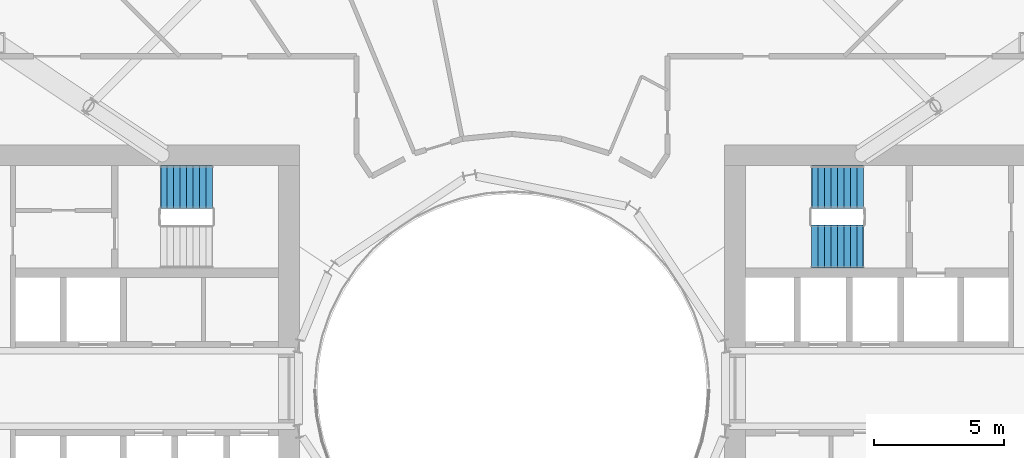
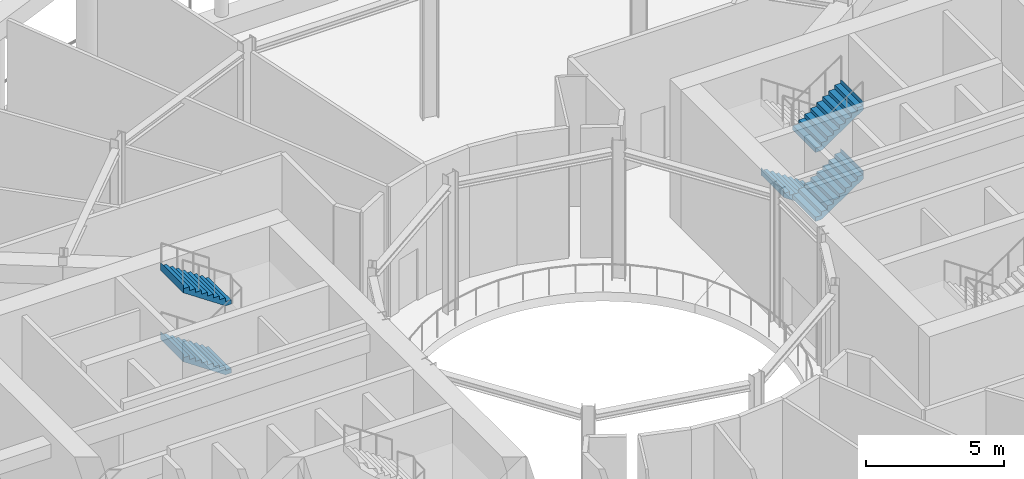
# One storey, part 16 of 22: 5 stair flights, 2 elements without a shape of their own.
"""IFC4 building model written with IfcOpenShell, lengths in metres."""

import ifcopenshell
import ifcopenshell.guid

model = None  # the IFC model being written
_history = None  # IfcOwnerHistory: only IFC2X3 demands one
_inside = {}  # id of a spatial element -> (the spatial element, [elements in it])
_under = {}  # id of a project, library or spatial element -> (it, [spatial elements below it])
_declared = {}  # id of a project -> (the project, [libraries it declares])
_typed = {}  # id of a type object -> (the type object, [elements of that type])
_made_of = {}  # id of a material, layer set ... -> (it, [elements and type objects made of it])


def new_model(schema):
    """Start an empty IFC model of exactly this schema.

    Asked for "IFC4X3", IfcOpenShell would pick the latest addendum, in which some entities
    have other attributes; the version numbers below select the first issue.
    IFC2X3 requires an IfcOwnerHistory on every rooted entity: one is made here for all.
    """
    global model, _history
    if schema == "IFC4X3":
        model = ifcopenshell.file(schema_version=(4, 3, 0, 0))
    else:
        model = ifcopenshell.file(schema=schema)
    _inside.clear()
    _under.clear()
    _declared.clear()
    _typed.clear()
    _made_of.clear()
    _history = None
    if model.schema == "IFC2X3":
        org = make("IfcOrganization", Name="unknown")
        user = make(
            "IfcPersonAndOrganization",
            ThePerson=make("IfcPerson", FamilyName="unknown"),
            TheOrganization=org,
        )
        app = make(
            "IfcApplication",
            ApplicationDeveloper=org,
            Version="unknown",
            ApplicationFullName="unknown",
            ApplicationIdentifier="unknown",
        )
        _history = make(
            "IfcOwnerHistory",
            OwningUser=user,
            OwningApplication=app,
            ChangeAction="ADDED",
            CreationDate=0,
        )
    return model


def make(cls, **values):
    """One entity of the class cls with the attributes given. An attribute that is None is left unset."""
    return model.create_entity(
        cls, **{name: value for name, value in values.items() if value is not None}
    )


def rooted(cls, **values):
    """An entity with a GlobalId (a new one), such as an element, a storey or a relation."""
    return make(cls, GlobalId=ifcopenshell.guid.new(), OwnerHistory=_history, **values)


def si_unit(unit_type, name, prefix=None):
    """IfcSIUnit, for example si_unit("LENGTHUNIT", "METRE", prefix="MILLI")."""
    return make("IfcSIUnit", UnitType=unit_type, Prefix=prefix, Name=name)


def assignment(units):
    """IfcUnitAssignment: the units of a project."""
    return None if units is None else make("IfcUnitAssignment", Units=units)


def point(xyz):
    """IfcCartesianPoint."""
    return None if xyz is None else make("IfcCartesianPoint", Coordinates=xyz)


def direction(xyz):
    """IfcDirection."""
    return None if xyz is None else make("IfcDirection", DirectionRatios=xyz)


def frame(location, z_axis=None, x_axis=None):
    """IfcAxis2Placement3D, a coordinate frame: its origin and axes. An axis left out is left unset."""
    return make(
        "IfcAxis2Placement3D",
        Location=point(location),
        Axis=direction(z_axis),
        RefDirection=direction(x_axis),
    )


def origin():
    """The frame at (0, 0, 0) with its axes left unset."""
    return frame((0.0, 0.0, 0.0))


def place(relative_to, where):
    """IfcLocalPlacement: puts the frame where relative to a parent placement (None: the world)."""
    return make(
        "IfcLocalPlacement", PlacementRelTo=relative_to, RelativePlacement=where
    )


def context(
    kind, dimensions, precision=None, world=None, true_north=None, identifier=None
):
    """IfcGeometricRepresentationContext, for example the 3D "Model" context."""
    return make(
        "IfcGeometricRepresentationContext",
        ContextIdentifier=identifier,
        ContextType=kind,
        CoordinateSpaceDimension=dimensions,
        Precision=precision,
        WorldCoordinateSystem=world,
        TrueNorth=true_north,
    )


def subcontext(parent, identifier, kind, view, scale=None):
    """IfcGeometricRepresentationSubContext, for example "Body" below "Model"."""
    return make(
        "IfcGeometricRepresentationSubContext",
        ContextIdentifier=identifier,
        ContextType=kind,
        ParentContext=parent,
        TargetScale=scale,
        TargetView=view,
    )


def project(units=None, contexts=None):
    """IfcProject with its units and contexts."""
    return rooted(
        "IfcProject",
        Name="project",
        RepresentationContexts=contexts,
        UnitsInContext=assignment(units),
    )


def spatial(cls, under=None, at=None, **own):
    """A site, building, storey or space (cls), placed at a placement, below another one or the project."""
    s = rooted(cls, ObjectPlacement=at, **own)
    if under is not None:
        _under.setdefault(under.id(), (under, []))[1].append(s)
    return s


def point_list(points):
    """IfcCartesianPointList2D or 3D."""
    cls = (
        "IfcCartesianPointList2D" if len(points[0]) == 2 else "IfcCartesianPointList3D"
    )
    return make(cls, CoordList=points)


def triangles(points, corners, closed=None, point_numbers=None):
    """IfcTriangulatedFaceSet: each triangle names its three corners, points numbered from 1."""
    return make(
        "IfcTriangulatedFaceSet",
        Coordinates=point_list(points),
        Closed=closed,
        CoordIndex=corners,
        PnIndex=point_numbers,
    )


def shape(context_of_items, identifier, shape_type, items):
    """IfcShapeRepresentation: the items that make up one representation, for example the "Body"."""
    return make(
        "IfcShapeRepresentation",
        ContextOfItems=context_of_items,
        RepresentationIdentifier=identifier,
        RepresentationType=shape_type,
        Items=items,
    )


def material(Name=None, Category=None):
    """IfcMaterial."""
    return make("IfcMaterial", Name=Name, Category=Category)


def made_of(thing, what):
    """Note that an element or type object is made of a material, layer set ...; save() writes the relation."""
    if what is not None:
        _made_of.setdefault(what.id(), (what, []))[1].append(thing)
    return thing


def type_object(cls, material=None, **own):
    """A type object (cls), such as IfcWallType, which elements share."""
    return made_of(rooted(cls, **own), material)


def element(
    cls,
    number,
    at=None,
    inside=None,
    cuts=None,
    type_object=None,
    material=None,
    context=None,
    identifier="Body",
    shape_type=None,
    held_by="IfcProductDefinitionShape",
    body=None,
    shapes=None,
    **own,
):
    """One element of the class cls, such as IfcWall. Its Tag is "e" and its number.

    at: its placement. inside: the storey or other place that contains it. cuts: it is an
    opening in that element (IfcRelVoidsElement). A single representation is given by context,
    identifier, shape_type and body (its items); several are given by shapes. held_by: the class
    of the entity that holds the representations. save() writes the other relations.
    """
    e = rooted(cls, Tag="e%d" % number, ObjectPlacement=at, **own)
    if body is not None:
        shapes = [shape(context, identifier, shape_type, body)]
    if shapes is not None:
        e.Representation = make(held_by, Representations=shapes)
    if inside is not None:
        _inside.setdefault(inside.id(), (inside, []))[1].append(e)
    if cuts is not None:
        rooted(
            "IfcRelVoidsElement", RelatingBuildingElement=cuts, RelatedOpeningElement=e
        )
    if type_object is not None:
        _typed.setdefault(type_object.id(), (type_object, []))[1].append(e)
    return made_of(e, material)


def aggregate(whole, parts):
    """IfcRelAggregates: a whole, such as a stair, and the parts it consists of."""
    return rooted("IfcRelAggregates", RelatingObject=whole, RelatedObjects=parts)


def save(model, path):
    """Write the relations noted so far, then the file.

    IfcRelAggregates (storeys below a building ...), IfcRelContainedInSpatialStructure (elements
    in a storey), IfcRelDefinesByType, IfcRelAssociatesMaterial and IfcRelDeclares: one each for
    every whole, place, type object, material and project.
    """
    for whole, parts in _under.values():
        aggregate(whole, parts)
    for where, things in _inside.values():
        rooted(
            "IfcRelContainedInSpatialStructure",
            RelatedElements=things,
            RelatingStructure=where,
        )
    for kind, things in _typed.values():
        rooted("IfcRelDefinesByType", RelatedObjects=things, RelatingType=kind)
    for what, things in _made_of.values():
        rooted("IfcRelAssociatesMaterial", RelatedObjects=things, RelatingMaterial=what)
    for by, libraries in _declared.values():
        rooted("IfcRelDeclares", RelatingContext=by, RelatedDefinitions=libraries)
    model.write(path)


model = new_model("IFC4")

# Units and contexts
model_context = context("Model", 3, precision=1e-05, world=origin(), true_north=direction((0.0, 1.0)))
body_context = subcontext(model_context, "Body", "Model", "MODEL_VIEW")
ifc_project = project(units=[si_unit("LENGTHUNIT", "METRE"), si_unit("AREAUNIT", "SQUARE_METRE"), si_unit("VOLUMEUNIT", "CUBIC_METRE"), si_unit("PLANEANGLEUNIT", "RADIAN"), si_unit("MASSUNIT", "GRAM", prefix="KILO")], contexts=[model_context])

# Site, building, storey
site_placement = place(None, origin())
site = spatial("IfcSite", under=ifc_project, at=site_placement, CompositionType="ELEMENT")
building_placement = place(site_placement, origin())
building = spatial("IfcBuilding", under=site, at=building_placement, Name="Maasbend Ring Residences", CompositionType="ELEMENT")
storey_placement = place(building_placement, frame((0.0, 0.0, 57.5)))
storey = spatial("IfcBuildingStorey", under=building, at=storey_placement, Name="L16", CompositionType="ELEMENT", Elevation=57.5)

# Stair, stair flights
ifc_material_1 = material(Name="Concrete C40/50", Category="concrete")
stair_type = type_object("IfcStairType", Name="CORE STAIR 36 RISERS", PredefinedType="HALF_TURN_STAIR", material=ifc_material_1)
stair_1_placement = place(storey_placement, origin())
stair_1 = element("IfcStair", 1, at=stair_1_placement, inside=storey, type_object=stair_type, Name="L16 Exit stair ST-E1", PredefinedType="HALF_TURN_STAIR")
ifc_material_2 = material(Name="Concrete C40/50", Category="concrete")
stair_flight_type = type_object("IfcStairFlightType", Name="CORE STAIR FLIGHT 1650", PredefinedType="STRAIGHT", material=ifc_material_2)
stair_flight_1_placement = place(storey_placement, frame((13.550048828125, 7.77490234375, 0.0), z_axis=(0.0, 0.0, 1.0), x_axis=(-1.0, 0.0, 0.0)))
stair_flight_1 = element("IfcStairFlight", 2, at=stair_flight_1_placement, type_object=stair_flight_type, Name="ST-E1 flight 1", NumberOfRisers=9, NumberOfTreads=8, PredefinedType="STRAIGHT", RiserHeight=0.169444444, TreadLength=0.25, context=body_context, shape_type="Tessellation", body=[
    triangles([(0.24072265625, 0.824951171875, -0.02001953125), (2.0029296875, 0.824951171875, 1.174560546875), (2.0029296875, 0.824951171875, 1.52490234375), (1.989990234375, 0.824951171875, 1.35546875), (1.75, 0.824951171875, 1.35546875), (1.75, 0.824951171875, 1.18603515625), (1.5, 0.824951171875, 1.18603515625), (1.5, 0.824951171875, 1.0166015625), (1.25, 0.824951171875, 1.0166015625), (1.25, 0.824951171875, 0.84716796875), (1.0, 0.824951171875, 0.84716796875), (1.0, 0.824951171875, 0.677734375), (0.75, 0.824951171875, 0.677734375), (0.75, 0.824951171875, 0.50830078125), (0.5, 0.824951171875, 0.50830078125), (0.5, 0.824951171875, 0.3388671875), (0.25, 0.824951171875, 0.3388671875), (0.25, 0.824951171875, 0.16943359375), (0.0, 0.824951171875, 0.16943359375), (0.0, 0.824951171875, 0.0), (-0.0029296875, 0.824951171875, 0.0), (-0.0029296875, 0.824951171875, -0.02001953125), (0.24072265625, 0.27490234375, -0.02001953125), (2.0029296875, 0.27490234375, 1.174560546875), (2.0029296875, 0.27490234375, 1.52490234375), (1.989990234375, 0.27490234375, 1.35546875), (1.75, 0.27490234375, 1.35546875), (1.75, 0.27490234375, 1.18603515625), (1.5, 0.27490234375, 1.18603515625), (1.5, 0.27490234375, 1.0166015625), (1.25, 0.27490234375, 1.0166015625), (1.25, 0.27490234375, 0.84716796875), (1.0, 0.27490234375, 0.84716796875), (1.0, 0.27490234375, 0.677734375), (0.75, 0.27490234375, 0.677734375), (0.75, 0.27490234375, 0.50830078125), (0.5, 0.27490234375, 0.50830078125), (0.5, 0.27490234375, 0.3388671875), (0.25, 0.27490234375, 0.3388671875), (0.25, 0.27490234375, 0.16943359375), (0.0, 0.27490234375, 0.16943359375), (0.0, 0.27490234375, 0.0), (-0.0029296875, 0.27490234375, 0.0), (-0.0029296875, 0.27490234375, -0.02001953125), (0.24072265625, -0.27490234375, -0.02001953125), (2.0029296875, -0.27490234375, 1.174560546875), (2.0029296875, -0.27490234375, 1.52490234375), (1.989990234375, -0.27490234375, 1.35546875), (1.75, -0.27490234375, 1.35546875), (1.75, -0.27490234375, 1.18603515625), (1.5, -0.27490234375, 1.18603515625), (1.5, -0.27490234375, 1.0166015625), (1.25, -0.27490234375, 1.0166015625), (1.25, -0.27490234375, 0.84716796875), (1.0, -0.27490234375, 0.84716796875), (1.0, -0.27490234375, 0.677734375), (0.75, -0.27490234375, 0.677734375), (0.75, -0.27490234375, 0.50830078125), (0.5, -0.27490234375, 0.50830078125), (0.5, -0.27490234375, 0.3388671875), (0.25, -0.27490234375, 0.3388671875), (0.25, -0.27490234375, 0.16943359375), (0.0, -0.27490234375, 0.16943359375), (0.0, -0.27490234375, 0.0), (-0.0029296875, -0.27490234375, 0.0), (-0.0029296875, -0.27490234375, -0.02001953125), (0.24072265625, -0.824951171875, -0.02001953125), (2.0029296875, -0.824951171875, 1.174560546875), (2.0029296875, -0.824951171875, 1.52490234375), (1.989990234375, -0.824951171875, 1.35546875), (1.75, -0.824951171875, 1.35546875), (1.75, -0.824951171875, 1.18603515625), (1.5, -0.824951171875, 1.18603515625), (1.5, -0.824951171875, 1.0166015625), (1.25, -0.824951171875, 1.0166015625), (1.25, -0.824951171875, 0.84716796875), (1.0, -0.824951171875, 0.84716796875), (1.0, -0.824951171875, 0.677734375), (0.75, -0.824951171875, 0.677734375), (0.75, -0.824951171875, 0.50830078125), (0.5, -0.824951171875, 0.50830078125), (0.5, -0.824951171875, 0.3388671875), (0.25, -0.824951171875, 0.3388671875), (0.25, -0.824951171875, 0.16943359375), (0.0, -0.824951171875, 0.16943359375), (0.0, -0.824951171875, 0.0), (-0.0029296875, -0.824951171875, 0.0), (-0.0029296875, -0.824951171875, -0.02001953125)], [[1, 2, 24], [1, 24, 23], [23, 24, 46], [23, 46, 45], [45, 46, 68], [45, 68, 67], [2, 3, 25], [2, 25, 24], [24, 25, 47], [24, 47, 46], [46, 47, 69], [46, 69, 68], [3, 4, 26], [3, 26, 25], [25, 26, 48], [25, 48, 47], [47, 48, 70], [47, 70, 69], [4, 5, 27], [4, 27, 26], [26, 27, 49], [26, 49, 48], [48, 49, 71], [48, 71, 70], [5, 6, 28], [5, 28, 27], [27, 28, 50], [27, 50, 49], [49, 50, 72], [49, 72, 71], [6, 7, 29], [6, 29, 28], [28, 29, 51], [28, 51, 50], [50, 51, 73], [50, 73, 72], [7, 8, 30], [7, 30, 29], [29, 30, 52], [29, 52, 51], [51, 52, 74], [51, 74, 73], [8, 9, 31], [8, 31, 30], [30, 31, 53], [30, 53, 52], [52, 53, 75], [52, 75, 74], [9, 10, 32], [9, 32, 31], [31, 32, 54], [31, 54, 53], [53, 54, 76], [53, 76, 75], [10, 11, 33], [10, 33, 32], [32, 33, 55], [32, 55, 54], [54, 55, 77], [54, 77, 76], [11, 12, 34], [11, 34, 33], [33, 34, 56], [33, 56, 55], [55, 56, 78], [55, 78, 77], [12, 13, 35], [12, 35, 34], [34, 35, 57], [34, 57, 56], [56, 57, 79], [56, 79, 78], [13, 14, 36], [13, 36, 35], [35, 36, 58], [35, 58, 57], [57, 58, 80], [57, 80, 79], [14, 15, 37], [14, 37, 36], [36, 37, 59], [36, 59, 58], [58, 59, 81], [58, 81, 80], [15, 16, 38], [15, 38, 37], [37, 38, 60], [37, 60, 59], [59, 60, 82], [59, 82, 81], [16, 17, 39], [16, 39, 38], [38, 39, 61], [38, 61, 60], [60, 61, 83], [60, 83, 82], [17, 18, 40], [17, 40, 39], [39, 40, 62], [39, 62, 61], [61, 62, 84], [61, 84, 83], [18, 19, 41], [18, 41, 40], [40, 41, 63], [40, 63, 62], [62, 63, 85], [62, 85, 84], [19, 20, 42], [19, 42, 41], [41, 42, 64], [41, 64, 63], [63, 64, 86], [63, 86, 85], [20, 21, 43], [20, 43, 42], [42, 43, 65], [42, 65, 64], [64, 65, 87], [64, 87, 86], [21, 22, 44], [21, 44, 43], [43, 44, 66], [43, 66, 65], [65, 66, 88], [65, 88, 87], [22, 1, 23], [22, 23, 44], [44, 23, 45], [44, 45, 66], [66, 45, 67], [66, 67, 88], [22, 2, 1], [2, 4, 3], [2, 5, 4], [2, 6, 5], [22, 6, 2], [6, 8, 7], [22, 8, 6], [8, 10, 9], [22, 10, 8], [10, 12, 11], [22, 12, 10], [12, 14, 13], [22, 14, 12], [14, 16, 15], [22, 16, 14], [16, 18, 17], [22, 18, 16], [18, 20, 19], [22, 20, 18], [20, 22, 21], [88, 67, 68], [68, 69, 70], [68, 70, 71], [68, 71, 72], [88, 68, 72], [72, 73, 74], [88, 72, 74], [74, 75, 76], [88, 74, 76], [76, 77, 78], [88, 76, 78], [78, 79, 80], [88, 78, 80], [80, 81, 82], [88, 80, 82], [82, 83, 84], [88, 82, 84], [84, 85, 86], [88, 84, 86], [86, 87, 88]], closed=True),
])
stair_flight_2_placement = place(storey_placement, frame((11.550048828125, 5.47509765625, 1.52490234375), z_axis=(0.0, 0.0, 1.0), x_axis=(1.0, 0.0, 0.0)))
stair_flight_2 = element("IfcStairFlight", 3, at=stair_flight_2_placement, type_object=stair_flight_type, Name="ST-E1 flight 2", NumberOfRisers=9, NumberOfTreads=8, PredefinedType="STRAIGHT", RiserHeight=0.169444444, TreadLength=0.25, context=body_context, shape_type="Tessellation", body=[
    triangles([(0.24072265625, 0.824951171875, -0.02001953125), (2.0029296875, 0.824951171875, 1.174560546875), (2.0029296875, 0.824951171875, 1.52490234375), (1.989990234375, 0.824951171875, 1.35546875), (1.75, 0.824951171875, 1.35546875), (1.75, 0.824951171875, 1.18603515625), (1.5, 0.824951171875, 1.18603515625), (1.5, 0.824951171875, 1.0166015625), (1.25, 0.824951171875, 1.0166015625), (1.25, 0.824951171875, 0.84716796875), (1.0, 0.824951171875, 0.84716796875), (1.0, 0.824951171875, 0.677734375), (0.75, 0.824951171875, 0.677734375), (0.75, 0.824951171875, 0.50830078125), (0.5, 0.824951171875, 0.50830078125), (0.5, 0.824951171875, 0.3388671875), (0.25, 0.824951171875, 0.3388671875), (0.25, 0.824951171875, 0.16943359375), (0.0, 0.824951171875, 0.16943359375), (0.0, 0.824951171875, 0.0), (-0.0029296875, 0.824951171875, 0.0), (-0.0029296875, 0.824951171875, -0.02001953125), (0.24072265625, 0.27490234375, -0.02001953125), (2.0029296875, 0.27490234375, 1.174560546875), (2.0029296875, 0.27490234375, 1.52490234375), (1.989990234375, 0.27490234375, 1.35546875), (1.75, 0.27490234375, 1.35546875), (1.75, 0.27490234375, 1.18603515625), (1.5, 0.27490234375, 1.18603515625), (1.5, 0.27490234375, 1.0166015625), (1.25, 0.27490234375, 1.0166015625), (1.25, 0.27490234375, 0.84716796875), (1.0, 0.27490234375, 0.84716796875), (1.0, 0.27490234375, 0.677734375), (0.75, 0.27490234375, 0.677734375), (0.75, 0.27490234375, 0.50830078125), (0.5, 0.27490234375, 0.50830078125), (0.5, 0.27490234375, 0.3388671875), (0.25, 0.27490234375, 0.3388671875), (0.25, 0.27490234375, 0.16943359375), (0.0, 0.27490234375, 0.16943359375), (0.0, 0.27490234375, 0.0), (-0.0029296875, 0.27490234375, 0.0), (-0.0029296875, 0.27490234375, -0.02001953125), (0.24072265625, -0.27490234375, -0.02001953125), (2.0029296875, -0.27490234375, 1.174560546875), (2.0029296875, -0.27490234375, 1.52490234375), (1.989990234375, -0.27490234375, 1.35546875), (1.75, -0.27490234375, 1.35546875), (1.75, -0.27490234375, 1.18603515625), (1.5, -0.27490234375, 1.18603515625), (1.5, -0.27490234375, 1.0166015625), (1.25, -0.27490234375, 1.0166015625), (1.25, -0.27490234375, 0.84716796875), (1.0, -0.27490234375, 0.84716796875), (1.0, -0.27490234375, 0.677734375), (0.75, -0.27490234375, 0.677734375), (0.75, -0.27490234375, 0.50830078125), (0.5, -0.27490234375, 0.50830078125), (0.5, -0.27490234375, 0.3388671875), (0.25, -0.27490234375, 0.3388671875), (0.25, -0.27490234375, 0.16943359375), (0.0, -0.27490234375, 0.16943359375), (0.0, -0.27490234375, 0.0), (-0.0029296875, -0.27490234375, 0.0), (-0.0029296875, -0.27490234375, -0.02001953125), (0.24072265625, -0.824951171875, -0.02001953125), (2.0029296875, -0.824951171875, 1.174560546875), (2.0029296875, -0.824951171875, 1.52490234375), (1.989990234375, -0.824951171875, 1.35546875), (1.75, -0.824951171875, 1.35546875), (1.75, -0.824951171875, 1.18603515625), (1.5, -0.824951171875, 1.18603515625), (1.5, -0.824951171875, 1.0166015625), (1.25, -0.824951171875, 1.0166015625), (1.25, -0.824951171875, 0.84716796875), (1.0, -0.824951171875, 0.84716796875), (1.0, -0.824951171875, 0.677734375), (0.75, -0.824951171875, 0.677734375), (0.75, -0.824951171875, 0.50830078125), (0.5, -0.824951171875, 0.50830078125), (0.5, -0.824951171875, 0.3388671875), (0.25, -0.824951171875, 0.3388671875), (0.25, -0.824951171875, 0.16943359375), (0.0, -0.824951171875, 0.16943359375), (0.0, -0.824951171875, 0.0), (-0.0029296875, -0.824951171875, 0.0), (-0.0029296875, -0.824951171875, -0.02001953125)], [[1, 2, 24], [1, 24, 23], [23, 24, 46], [23, 46, 45], [45, 46, 68], [45, 68, 67], [2, 3, 25], [2, 25, 24], [24, 25, 47], [24, 47, 46], [46, 47, 69], [46, 69, 68], [3, 4, 26], [3, 26, 25], [25, 26, 48], [25, 48, 47], [47, 48, 70], [47, 70, 69], [4, 5, 27], [4, 27, 26], [26, 27, 49], [26, 49, 48], [48, 49, 71], [48, 71, 70], [5, 6, 28], [5, 28, 27], [27, 28, 50], [27, 50, 49], [49, 50, 72], [49, 72, 71], [6, 7, 29], [6, 29, 28], [28, 29, 51], [28, 51, 50], [50, 51, 73], [50, 73, 72], [7, 8, 30], [7, 30, 29], [29, 30, 52], [29, 52, 51], [51, 52, 74], [51, 74, 73], [8, 9, 31], [8, 31, 30], [30, 31, 53], [30, 53, 52], [52, 53, 75], [52, 75, 74], [9, 10, 32], [9, 32, 31], [31, 32, 54], [31, 54, 53], [53, 54, 76], [53, 76, 75], [10, 11, 33], [10, 33, 32], [32, 33, 55], [32, 55, 54], [54, 55, 77], [54, 77, 76], [11, 12, 34], [11, 34, 33], [33, 34, 56], [33, 56, 55], [55, 56, 78], [55, 78, 77], [12, 13, 35], [12, 35, 34], [34, 35, 57], [34, 57, 56], [56, 57, 79], [56, 79, 78], [13, 14, 36], [13, 36, 35], [35, 36, 58], [35, 58, 57], [57, 58, 80], [57, 80, 79], [14, 15, 37], [14, 37, 36], [36, 37, 59], [36, 59, 58], [58, 59, 81], [58, 81, 80], [15, 16, 38], [15, 38, 37], [37, 38, 60], [37, 60, 59], [59, 60, 82], [59, 82, 81], [16, 17, 39], [16, 39, 38], [38, 39, 61], [38, 61, 60], [60, 61, 83], [60, 83, 82], [17, 18, 40], [17, 40, 39], [39, 40, 62], [39, 62, 61], [61, 62, 84], [61, 84, 83], [18, 19, 41], [18, 41, 40], [40, 41, 63], [40, 63, 62], [62, 63, 85], [62, 85, 84], [19, 20, 42], [19, 42, 41], [41, 42, 64], [41, 64, 63], [63, 64, 86], [63, 86, 85], [20, 21, 43], [20, 43, 42], [42, 43, 65], [42, 65, 64], [64, 65, 87], [64, 87, 86], [21, 22, 44], [21, 44, 43], [43, 44, 66], [43, 66, 65], [65, 66, 88], [65, 88, 87], [22, 1, 23], [22, 23, 44], [44, 23, 45], [44, 45, 66], [66, 45, 67], [66, 67, 88], [22, 2, 1], [2, 4, 3], [2, 5, 4], [2, 6, 5], [22, 6, 2], [6, 8, 7], [22, 8, 6], [8, 10, 9], [22, 10, 8], [10, 12, 11], [22, 12, 10], [12, 14, 13], [22, 14, 12], [14, 16, 15], [22, 16, 14], [16, 18, 17], [22, 18, 16], [18, 20, 19], [22, 20, 18], [20, 22, 21], [88, 67, 68], [68, 69, 70], [68, 70, 71], [68, 71, 72], [88, 68, 72], [72, 73, 74], [88, 72, 74], [74, 75, 76], [88, 74, 76], [76, 77, 78], [88, 76, 78], [78, 79, 80], [88, 78, 80], [80, 81, 82], [88, 80, 82], [82, 83, 84], [88, 82, 84], [84, 85, 86], [88, 84, 86], [86, 87, 88]], closed=True),
])
stair_flight_3_placement = place(storey_placement, frame((11.550048828125, 5.47509765625, 4.574951171875), z_axis=(0.0, 0.0, 1.0), x_axis=(1.0, 0.0, 0.0)))
stair_flight_3 = element("IfcStairFlight", 4, at=stair_flight_3_placement, type_object=stair_flight_type, Name="ST-E1 flight 4", NumberOfRisers=9, NumberOfTreads=8, PredefinedType="STRAIGHT", RiserHeight=0.169444444, TreadLength=0.25, context=body_context, shape_type="Tessellation", body=[
    triangles([(0.24072265625, 0.824951171875, -0.02001953125), (2.0029296875, 0.824951171875, 1.174560546875), (2.0029296875, 0.824951171875, 1.52490234375), (1.989990234375, 0.824951171875, 1.35546875), (1.75, 0.824951171875, 1.35546875), (1.75, 0.824951171875, 1.18603515625), (1.5, 0.824951171875, 1.18603515625), (1.5, 0.824951171875, 1.0166015625), (1.25, 0.824951171875, 1.0166015625), (1.25, 0.824951171875, 0.84716796875), (1.0, 0.824951171875, 0.84716796875), (1.0, 0.824951171875, 0.677734375), (0.75, 0.824951171875, 0.677734375), (0.75, 0.824951171875, 0.50830078125), (0.5, 0.824951171875, 0.50830078125), (0.5, 0.824951171875, 0.3388671875), (0.25, 0.824951171875, 0.3388671875), (0.25, 0.824951171875, 0.16943359375), (0.0, 0.824951171875, 0.16943359375), (0.0, 0.824951171875, 0.0), (-0.0029296875, 0.824951171875, 0.0), (-0.0029296875, 0.824951171875, -0.02001953125), (0.24072265625, 0.27490234375, -0.02001953125), (2.0029296875, 0.27490234375, 1.174560546875), (2.0029296875, 0.27490234375, 1.52490234375), (1.989990234375, 0.27490234375, 1.35546875), (1.75, 0.27490234375, 1.35546875), (1.75, 0.27490234375, 1.18603515625), (1.5, 0.27490234375, 1.18603515625), (1.5, 0.27490234375, 1.0166015625), (1.25, 0.27490234375, 1.0166015625), (1.25, 0.27490234375, 0.84716796875), (1.0, 0.27490234375, 0.84716796875), (1.0, 0.27490234375, 0.677734375), (0.75, 0.27490234375, 0.677734375), (0.75, 0.27490234375, 0.50830078125), (0.5, 0.27490234375, 0.50830078125), (0.5, 0.27490234375, 0.3388671875), (0.25, 0.27490234375, 0.3388671875), (0.25, 0.27490234375, 0.16943359375), (0.0, 0.27490234375, 0.16943359375), (0.0, 0.27490234375, 0.0), (-0.0029296875, 0.27490234375, 0.0), (-0.0029296875, 0.27490234375, -0.02001953125), (0.24072265625, -0.27490234375, -0.02001953125), (2.0029296875, -0.27490234375, 1.174560546875), (2.0029296875, -0.27490234375, 1.52490234375), (1.989990234375, -0.27490234375, 1.35546875), (1.75, -0.27490234375, 1.35546875), (1.75, -0.27490234375, 1.18603515625), (1.5, -0.27490234375, 1.18603515625), (1.5, -0.27490234375, 1.0166015625), (1.25, -0.27490234375, 1.0166015625), (1.25, -0.27490234375, 0.84716796875), (1.0, -0.27490234375, 0.84716796875), (1.0, -0.27490234375, 0.677734375), (0.75, -0.27490234375, 0.677734375), (0.75, -0.27490234375, 0.50830078125), (0.5, -0.27490234375, 0.50830078125), (0.5, -0.27490234375, 0.3388671875), (0.25, -0.27490234375, 0.3388671875), (0.25, -0.27490234375, 0.16943359375), (0.0, -0.27490234375, 0.16943359375), (0.0, -0.27490234375, 0.0), (-0.0029296875, -0.27490234375, 0.0), (-0.0029296875, -0.27490234375, -0.02001953125), (0.24072265625, -0.824951171875, -0.02001953125), (2.0029296875, -0.824951171875, 1.174560546875), (2.0029296875, -0.824951171875, 1.52490234375), (1.989990234375, -0.824951171875, 1.35546875), (1.75, -0.824951171875, 1.35546875), (1.75, -0.824951171875, 1.18603515625), (1.5, -0.824951171875, 1.18603515625), (1.5, -0.824951171875, 1.0166015625), (1.25, -0.824951171875, 1.0166015625), (1.25, -0.824951171875, 0.84716796875), (1.0, -0.824951171875, 0.84716796875), (1.0, -0.824951171875, 0.677734375), (0.75, -0.824951171875, 0.677734375), (0.75, -0.824951171875, 0.50830078125), (0.5, -0.824951171875, 0.50830078125), (0.5, -0.824951171875, 0.3388671875), (0.25, -0.824951171875, 0.3388671875), (0.25, -0.824951171875, 0.16943359375), (0.0, -0.824951171875, 0.16943359375), (0.0, -0.824951171875, 0.0), (-0.0029296875, -0.824951171875, 0.0), (-0.0029296875, -0.824951171875, -0.02001953125)], [[1, 2, 24], [1, 24, 23], [23, 24, 46], [23, 46, 45], [45, 46, 68], [45, 68, 67], [2, 3, 25], [2, 25, 24], [24, 25, 47], [24, 47, 46], [46, 47, 69], [46, 69, 68], [3, 4, 26], [3, 26, 25], [25, 26, 48], [25, 48, 47], [47, 48, 70], [47, 70, 69], [4, 5, 27], [4, 27, 26], [26, 27, 49], [26, 49, 48], [48, 49, 71], [48, 71, 70], [5, 6, 28], [5, 28, 27], [27, 28, 50], [27, 50, 49], [49, 50, 72], [49, 72, 71], [6, 7, 29], [6, 29, 28], [28, 29, 51], [28, 51, 50], [50, 51, 73], [50, 73, 72], [7, 8, 30], [7, 30, 29], [29, 30, 52], [29, 52, 51], [51, 52, 74], [51, 74, 73], [8, 9, 31], [8, 31, 30], [30, 31, 53], [30, 53, 52], [52, 53, 75], [52, 75, 74], [9, 10, 32], [9, 32, 31], [31, 32, 54], [31, 54, 53], [53, 54, 76], [53, 76, 75], [10, 11, 33], [10, 33, 32], [32, 33, 55], [32, 55, 54], [54, 55, 77], [54, 77, 76], [11, 12, 34], [11, 34, 33], [33, 34, 56], [33, 56, 55], [55, 56, 78], [55, 78, 77], [12, 13, 35], [12, 35, 34], [34, 35, 57], [34, 57, 56], [56, 57, 79], [56, 79, 78], [13, 14, 36], [13, 36, 35], [35, 36, 58], [35, 58, 57], [57, 58, 80], [57, 80, 79], [14, 15, 37], [14, 37, 36], [36, 37, 59], [36, 59, 58], [58, 59, 81], [58, 81, 80], [15, 16, 38], [15, 38, 37], [37, 38, 60], [37, 60, 59], [59, 60, 82], [59, 82, 81], [16, 17, 39], [16, 39, 38], [38, 39, 61], [38, 61, 60], [60, 61, 83], [60, 83, 82], [17, 18, 40], [17, 40, 39], [39, 40, 62], [39, 62, 61], [61, 62, 84], [61, 84, 83], [18, 19, 41], [18, 41, 40], [40, 41, 63], [40, 63, 62], [62, 63, 85], [62, 85, 84], [19, 20, 42], [19, 42, 41], [41, 42, 64], [41, 64, 63], [63, 64, 86], [63, 86, 85], [20, 21, 43], [20, 43, 42], [42, 43, 65], [42, 65, 64], [64, 65, 87], [64, 87, 86], [21, 22, 44], [21, 44, 43], [43, 44, 66], [43, 66, 65], [65, 66, 88], [65, 88, 87], [22, 1, 23], [22, 23, 44], [44, 23, 45], [44, 45, 66], [66, 45, 67], [66, 67, 88], [22, 2, 1], [2, 4, 3], [2, 5, 4], [2, 6, 5], [22, 6, 2], [6, 8, 7], [22, 8, 6], [8, 10, 9], [22, 10, 8], [10, 12, 11], [22, 12, 10], [12, 14, 13], [22, 14, 12], [14, 16, 15], [22, 16, 14], [16, 18, 17], [22, 18, 16], [18, 20, 19], [22, 20, 18], [20, 22, 21], [88, 67, 68], [68, 69, 70], [68, 70, 71], [68, 71, 72], [88, 68, 72], [72, 73, 74], [88, 72, 74], [74, 75, 76], [88, 74, 76], [76, 77, 78], [88, 76, 78], [78, 79, 80], [88, 78, 80], [80, 81, 82], [88, 80, 82], [82, 83, 84], [88, 82, 84], [84, 85, 86], [88, 84, 86], [86, 87, 88]], closed=True),
])
aggregate(stair_1, [stair_flight_1, stair_flight_2, stair_flight_3])

stair_2_placement = place(storey_placement, origin())
stair_2 = element("IfcStair", 5, at=stair_2_placement, inside=storey, type_object=stair_type, Name="L16 Exit stair ST-W2", PredefinedType="HALF_TURN_STAIR")
stair_flight_4_placement = place(storey_placement, frame((-11.550048828125, 7.77490234375, 1.52490234375), z_axis=(0.0, 0.0, 1.0), x_axis=(-1.0, 0.0, 0.0)))
stair_flight_4 = element("IfcStairFlight", 6, at=stair_flight_4_placement, type_object=stair_flight_type, Name="ST-W2 flight 2", NumberOfRisers=9, NumberOfTreads=8, PredefinedType="STRAIGHT", RiserHeight=0.169444444, TreadLength=0.25, context=body_context, shape_type="Tessellation", body=[
    triangles([(0.24072265625, 0.824951171875, -0.02001953125), (2.0029296875, 0.824951171875, 1.174560546875), (2.0029296875, 0.824951171875, 1.52490234375), (1.989990234375, 0.824951171875, 1.35546875), (1.75, 0.824951171875, 1.35546875), (1.75, 0.824951171875, 1.18603515625), (1.5, 0.824951171875, 1.18603515625), (1.5, 0.824951171875, 1.0166015625), (1.25, 0.824951171875, 1.0166015625), (1.25, 0.824951171875, 0.84716796875), (1.0, 0.824951171875, 0.84716796875), (1.0, 0.824951171875, 0.677734375), (0.75, 0.824951171875, 0.677734375), (0.75, 0.824951171875, 0.50830078125), (0.5, 0.824951171875, 0.50830078125), (0.5, 0.824951171875, 0.3388671875), (0.25, 0.824951171875, 0.3388671875), (0.25, 0.824951171875, 0.16943359375), (0.0, 0.824951171875, 0.16943359375), (0.0, 0.824951171875, 0.0), (-0.0029296875, 0.824951171875, 0.0), (-0.0029296875, 0.824951171875, -0.02001953125), (0.24072265625, 0.27490234375, -0.02001953125), (2.0029296875, 0.27490234375, 1.174560546875), (2.0029296875, 0.27490234375, 1.52490234375), (1.989990234375, 0.27490234375, 1.35546875), (1.75, 0.27490234375, 1.35546875), (1.75, 0.27490234375, 1.18603515625), (1.5, 0.27490234375, 1.18603515625), (1.5, 0.27490234375, 1.0166015625), (1.25, 0.27490234375, 1.0166015625), (1.25, 0.27490234375, 0.84716796875), (1.0, 0.27490234375, 0.84716796875), (1.0, 0.27490234375, 0.677734375), (0.75, 0.27490234375, 0.677734375), (0.75, 0.27490234375, 0.50830078125), (0.5, 0.27490234375, 0.50830078125), (0.5, 0.27490234375, 0.3388671875), (0.25, 0.27490234375, 0.3388671875), (0.25, 0.27490234375, 0.16943359375), (0.0, 0.27490234375, 0.16943359375), (0.0, 0.27490234375, 0.0), (-0.0029296875, 0.27490234375, 0.0), (-0.0029296875, 0.27490234375, -0.02001953125), (0.24072265625, -0.27490234375, -0.02001953125), (2.0029296875, -0.27490234375, 1.174560546875), (2.0029296875, -0.27490234375, 1.52490234375), (1.989990234375, -0.27490234375, 1.35546875), (1.75, -0.27490234375, 1.35546875), (1.75, -0.27490234375, 1.18603515625), (1.5, -0.27490234375, 1.18603515625), (1.5, -0.27490234375, 1.0166015625), (1.25, -0.27490234375, 1.0166015625), (1.25, -0.27490234375, 0.84716796875), (1.0, -0.27490234375, 0.84716796875), (1.0, -0.27490234375, 0.677734375), (0.75, -0.27490234375, 0.677734375), (0.75, -0.27490234375, 0.50830078125), (0.5, -0.27490234375, 0.50830078125), (0.5, -0.27490234375, 0.3388671875), (0.25, -0.27490234375, 0.3388671875), (0.25, -0.27490234375, 0.16943359375), (0.0, -0.27490234375, 0.16943359375), (0.0, -0.27490234375, 0.0), (-0.0029296875, -0.27490234375, 0.0), (-0.0029296875, -0.27490234375, -0.02001953125), (0.24072265625, -0.824951171875, -0.02001953125), (2.0029296875, -0.824951171875, 1.174560546875), (2.0029296875, -0.824951171875, 1.52490234375), (1.989990234375, -0.824951171875, 1.35546875), (1.75, -0.824951171875, 1.35546875), (1.75, -0.824951171875, 1.18603515625), (1.5, -0.824951171875, 1.18603515625), (1.5, -0.824951171875, 1.0166015625), (1.25, -0.824951171875, 1.0166015625), (1.25, -0.824951171875, 0.84716796875), (1.0, -0.824951171875, 0.84716796875), (1.0, -0.824951171875, 0.677734375), (0.75, -0.824951171875, 0.677734375), (0.75, -0.824951171875, 0.50830078125), (0.5, -0.824951171875, 0.50830078125), (0.5, -0.824951171875, 0.3388671875), (0.25, -0.824951171875, 0.3388671875), (0.25, -0.824951171875, 0.16943359375), (0.0, -0.824951171875, 0.16943359375), (0.0, -0.824951171875, 0.0), (-0.0029296875, -0.824951171875, 0.0), (-0.0029296875, -0.824951171875, -0.02001953125)], [[1, 2, 24], [1, 24, 23], [23, 24, 46], [23, 46, 45], [45, 46, 68], [45, 68, 67], [2, 3, 25], [2, 25, 24], [24, 25, 47], [24, 47, 46], [46, 47, 69], [46, 69, 68], [3, 4, 26], [3, 26, 25], [25, 26, 48], [25, 48, 47], [47, 48, 70], [47, 70, 69], [4, 5, 27], [4, 27, 26], [26, 27, 49], [26, 49, 48], [48, 49, 71], [48, 71, 70], [5, 6, 28], [5, 28, 27], [27, 28, 50], [27, 50, 49], [49, 50, 72], [49, 72, 71], [6, 7, 29], [6, 29, 28], [28, 29, 51], [28, 51, 50], [50, 51, 73], [50, 73, 72], [7, 8, 30], [7, 30, 29], [29, 30, 52], [29, 52, 51], [51, 52, 74], [51, 74, 73], [8, 9, 31], [8, 31, 30], [30, 31, 53], [30, 53, 52], [52, 53, 75], [52, 75, 74], [9, 10, 32], [9, 32, 31], [31, 32, 54], [31, 54, 53], [53, 54, 76], [53, 76, 75], [10, 11, 33], [10, 33, 32], [32, 33, 55], [32, 55, 54], [54, 55, 77], [54, 77, 76], [11, 12, 34], [11, 34, 33], [33, 34, 56], [33, 56, 55], [55, 56, 78], [55, 78, 77], [12, 13, 35], [12, 35, 34], [34, 35, 57], [34, 57, 56], [56, 57, 79], [56, 79, 78], [13, 14, 36], [13, 36, 35], [35, 36, 58], [35, 58, 57], [57, 58, 80], [57, 80, 79], [14, 15, 37], [14, 37, 36], [36, 37, 59], [36, 59, 58], [58, 59, 81], [58, 81, 80], [15, 16, 38], [15, 38, 37], [37, 38, 60], [37, 60, 59], [59, 60, 82], [59, 82, 81], [16, 17, 39], [16, 39, 38], [38, 39, 61], [38, 61, 60], [60, 61, 83], [60, 83, 82], [17, 18, 40], [17, 40, 39], [39, 40, 62], [39, 62, 61], [61, 62, 84], [61, 84, 83], [18, 19, 41], [18, 41, 40], [40, 41, 63], [40, 63, 62], [62, 63, 85], [62, 85, 84], [19, 20, 42], [19, 42, 41], [41, 42, 64], [41, 64, 63], [63, 64, 86], [63, 86, 85], [20, 21, 43], [20, 43, 42], [42, 43, 65], [42, 65, 64], [64, 65, 87], [64, 87, 86], [21, 22, 44], [21, 44, 43], [43, 44, 66], [43, 66, 65], [65, 66, 88], [65, 88, 87], [22, 1, 23], [22, 23, 44], [44, 23, 45], [44, 45, 66], [66, 45, 67], [66, 67, 88], [22, 2, 1], [2, 4, 3], [2, 5, 4], [2, 6, 5], [22, 6, 2], [6, 8, 7], [22, 8, 6], [8, 10, 9], [22, 10, 8], [10, 12, 11], [22, 12, 10], [12, 14, 13], [22, 14, 12], [14, 16, 15], [22, 16, 14], [16, 18, 17], [22, 18, 16], [18, 20, 19], [22, 20, 18], [20, 22, 21], [88, 67, 68], [68, 69, 70], [68, 70, 71], [68, 71, 72], [88, 68, 72], [72, 73, 74], [88, 72, 74], [74, 75, 76], [88, 74, 76], [76, 77, 78], [88, 76, 78], [78, 79, 80], [88, 78, 80], [80, 81, 82], [88, 80, 82], [82, 83, 84], [88, 82, 84], [84, 85, 86], [88, 84, 86], [86, 87, 88]], closed=True),
])
stair_flight_5_placement = place(storey_placement, frame((-11.550048828125, 7.77490234375, 4.574951171875), z_axis=(0.0, 0.0, 1.0), x_axis=(-1.0, 0.0, 0.0)))
stair_flight_5 = element("IfcStairFlight", 7, at=stair_flight_5_placement, type_object=stair_flight_type, Name="ST-W2 flight 4", NumberOfRisers=9, NumberOfTreads=8, PredefinedType="STRAIGHT", RiserHeight=0.169444444, TreadLength=0.25, context=body_context, shape_type="Tessellation", body=[
    triangles([(0.24072265625, 0.824951171875, -0.02001953125), (2.0029296875, 0.824951171875, 1.174560546875), (2.0029296875, 0.824951171875, 1.52490234375), (1.989990234375, 0.824951171875, 1.35546875), (1.75, 0.824951171875, 1.35546875), (1.75, 0.824951171875, 1.18603515625), (1.5, 0.824951171875, 1.18603515625), (1.5, 0.824951171875, 1.0166015625), (1.25, 0.824951171875, 1.0166015625), (1.25, 0.824951171875, 0.84716796875), (1.0, 0.824951171875, 0.84716796875), (1.0, 0.824951171875, 0.677734375), (0.75, 0.824951171875, 0.677734375), (0.75, 0.824951171875, 0.50830078125), (0.5, 0.824951171875, 0.50830078125), (0.5, 0.824951171875, 0.3388671875), (0.25, 0.824951171875, 0.3388671875), (0.25, 0.824951171875, 0.16943359375), (0.0, 0.824951171875, 0.16943359375), (0.0, 0.824951171875, 0.0), (-0.0029296875, 0.824951171875, 0.0), (-0.0029296875, 0.824951171875, -0.02001953125), (0.24072265625, 0.27490234375, -0.02001953125), (2.0029296875, 0.27490234375, 1.174560546875), (2.0029296875, 0.27490234375, 1.52490234375), (1.989990234375, 0.27490234375, 1.35546875), (1.75, 0.27490234375, 1.35546875), (1.75, 0.27490234375, 1.18603515625), (1.5, 0.27490234375, 1.18603515625), (1.5, 0.27490234375, 1.0166015625), (1.25, 0.27490234375, 1.0166015625), (1.25, 0.27490234375, 0.84716796875), (1.0, 0.27490234375, 0.84716796875), (1.0, 0.27490234375, 0.677734375), (0.75, 0.27490234375, 0.677734375), (0.75, 0.27490234375, 0.50830078125), (0.5, 0.27490234375, 0.50830078125), (0.5, 0.27490234375, 0.3388671875), (0.25, 0.27490234375, 0.3388671875), (0.25, 0.27490234375, 0.16943359375), (0.0, 0.27490234375, 0.16943359375), (0.0, 0.27490234375, 0.0), (-0.0029296875, 0.27490234375, 0.0), (-0.0029296875, 0.27490234375, -0.02001953125), (0.24072265625, -0.27490234375, -0.02001953125), (2.0029296875, -0.27490234375, 1.174560546875), (2.0029296875, -0.27490234375, 1.52490234375), (1.989990234375, -0.27490234375, 1.35546875), (1.75, -0.27490234375, 1.35546875), (1.75, -0.27490234375, 1.18603515625), (1.5, -0.27490234375, 1.18603515625), (1.5, -0.27490234375, 1.0166015625), (1.25, -0.27490234375, 1.0166015625), (1.25, -0.27490234375, 0.84716796875), (1.0, -0.27490234375, 0.84716796875), (1.0, -0.27490234375, 0.677734375), (0.75, -0.27490234375, 0.677734375), (0.75, -0.27490234375, 0.50830078125), (0.5, -0.27490234375, 0.50830078125), (0.5, -0.27490234375, 0.3388671875), (0.25, -0.27490234375, 0.3388671875), (0.25, -0.27490234375, 0.16943359375), (0.0, -0.27490234375, 0.16943359375), (0.0, -0.27490234375, 0.0), (-0.0029296875, -0.27490234375, 0.0), (-0.0029296875, -0.27490234375, -0.02001953125), (0.24072265625, -0.824951171875, -0.02001953125), (2.0029296875, -0.824951171875, 1.174560546875), (2.0029296875, -0.824951171875, 1.52490234375), (1.989990234375, -0.824951171875, 1.35546875), (1.75, -0.824951171875, 1.35546875), (1.75, -0.824951171875, 1.18603515625), (1.5, -0.824951171875, 1.18603515625), (1.5, -0.824951171875, 1.0166015625), (1.25, -0.824951171875, 1.0166015625), (1.25, -0.824951171875, 0.84716796875), (1.0, -0.824951171875, 0.84716796875), (1.0, -0.824951171875, 0.677734375), (0.75, -0.824951171875, 0.677734375), (0.75, -0.824951171875, 0.50830078125), (0.5, -0.824951171875, 0.50830078125), (0.5, -0.824951171875, 0.3388671875), (0.25, -0.824951171875, 0.3388671875), (0.25, -0.824951171875, 0.16943359375), (0.0, -0.824951171875, 0.16943359375), (0.0, -0.824951171875, 0.0), (-0.0029296875, -0.824951171875, 0.0), (-0.0029296875, -0.824951171875, -0.02001953125)], [[1, 2, 24], [1, 24, 23], [23, 24, 46], [23, 46, 45], [45, 46, 68], [45, 68, 67], [2, 3, 25], [2, 25, 24], [24, 25, 47], [24, 47, 46], [46, 47, 69], [46, 69, 68], [3, 4, 26], [3, 26, 25], [25, 26, 48], [25, 48, 47], [47, 48, 70], [47, 70, 69], [4, 5, 27], [4, 27, 26], [26, 27, 49], [26, 49, 48], [48, 49, 71], [48, 71, 70], [5, 6, 28], [5, 28, 27], [27, 28, 50], [27, 50, 49], [49, 50, 72], [49, 72, 71], [6, 7, 29], [6, 29, 28], [28, 29, 51], [28, 51, 50], [50, 51, 73], [50, 73, 72], [7, 8, 30], [7, 30, 29], [29, 30, 52], [29, 52, 51], [51, 52, 74], [51, 74, 73], [8, 9, 31], [8, 31, 30], [30, 31, 53], [30, 53, 52], [52, 53, 75], [52, 75, 74], [9, 10, 32], [9, 32, 31], [31, 32, 54], [31, 54, 53], [53, 54, 76], [53, 76, 75], [10, 11, 33], [10, 33, 32], [32, 33, 55], [32, 55, 54], [54, 55, 77], [54, 77, 76], [11, 12, 34], [11, 34, 33], [33, 34, 56], [33, 56, 55], [55, 56, 78], [55, 78, 77], [12, 13, 35], [12, 35, 34], [34, 35, 57], [34, 57, 56], [56, 57, 79], [56, 79, 78], [13, 14, 36], [13, 36, 35], [35, 36, 58], [35, 58, 57], [57, 58, 80], [57, 80, 79], [14, 15, 37], [14, 37, 36], [36, 37, 59], [36, 59, 58], [58, 59, 81], [58, 81, 80], [15, 16, 38], [15, 38, 37], [37, 38, 60], [37, 60, 59], [59, 60, 82], [59, 82, 81], [16, 17, 39], [16, 39, 38], [38, 39, 61], [38, 61, 60], [60, 61, 83], [60, 83, 82], [17, 18, 40], [17, 40, 39], [39, 40, 62], [39, 62, 61], [61, 62, 84], [61, 84, 83], [18, 19, 41], [18, 41, 40], [40, 41, 63], [40, 63, 62], [62, 63, 85], [62, 85, 84], [19, 20, 42], [19, 42, 41], [41, 42, 64], [41, 64, 63], [63, 64, 86], [63, 86, 85], [20, 21, 43], [20, 43, 42], [42, 43, 65], [42, 65, 64], [64, 65, 87], [64, 87, 86], [21, 22, 44], [21, 44, 43], [43, 44, 66], [43, 66, 65], [65, 66, 88], [65, 88, 87], [22, 1, 23], [22, 23, 44], [44, 23, 45], [44, 45, 66], [66, 45, 67], [66, 67, 88], [22, 2, 1], [2, 4, 3], [2, 5, 4], [2, 6, 5], [22, 6, 2], [6, 8, 7], [22, 8, 6], [8, 10, 9], [22, 10, 8], [10, 12, 11], [22, 12, 10], [12, 14, 13], [22, 14, 12], [14, 16, 15], [22, 16, 14], [16, 18, 17], [22, 18, 16], [18, 20, 19], [22, 20, 18], [20, 22, 21], [88, 67, 68], [68, 69, 70], [68, 70, 71], [68, 71, 72], [88, 68, 72], [72, 73, 74], [88, 72, 74], [74, 75, 76], [88, 74, 76], [76, 77, 78], [88, 76, 78], [78, 79, 80], [88, 78, 80], [80, 81, 82], [88, 80, 82], [82, 83, 84], [88, 82, 84], [84, 85, 86], [88, 84, 86], [86, 87, 88]], closed=True),
])
aggregate(stair_2, [stair_flight_4, stair_flight_5])

save(model, "model.ifc")
